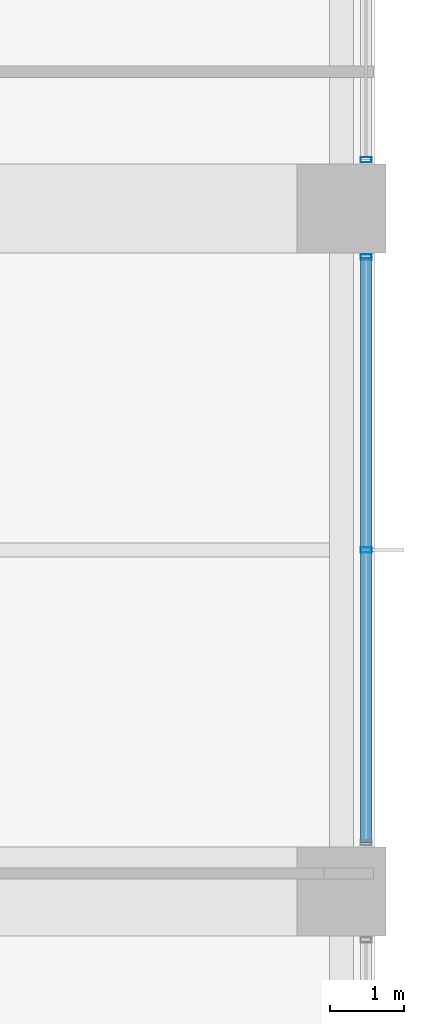
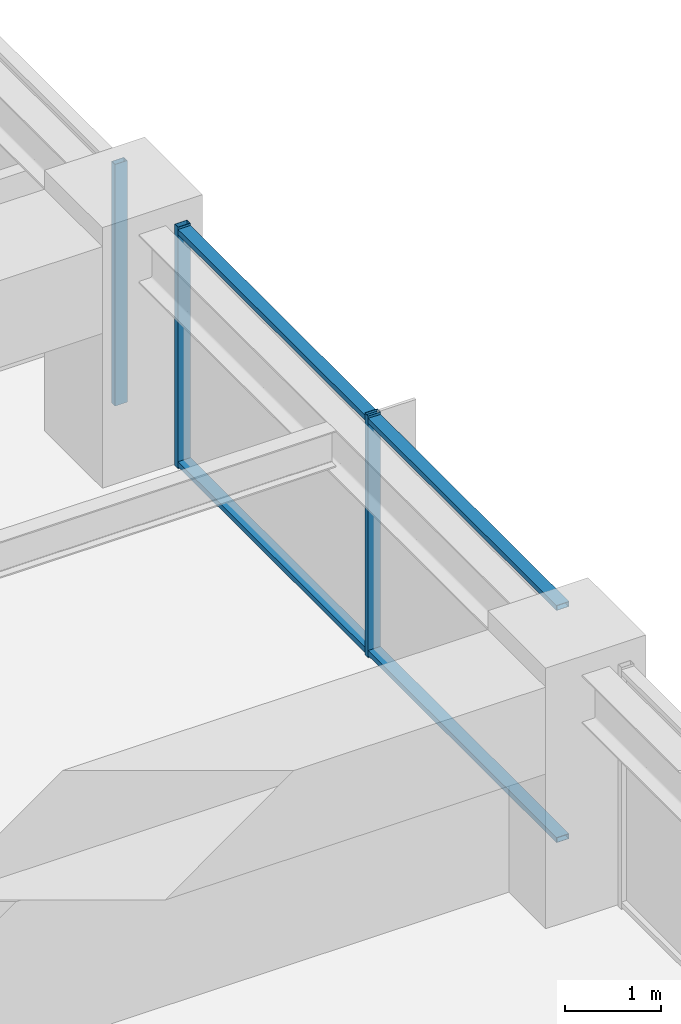
# One storey, part 16 of 37: 5 members, 2 elements without a shape of their own.
"""IFC4 building model written with IfcOpenShell, lengths in metres."""

from ifc_helpers import new_model, si_unit, direction, frame, origin, origin_2d, place, context, subcontext, project, spatial, hollow_rectangle, extrude, material, material_profile, profile_set, type_object, element, aggregate, save


model = new_model("IFC4")

# Units and contexts
model_context = context("Model", 3, precision=1e-05, world=origin(), true_north=direction((0.0, 1.0)))
body_context = subcontext(model_context, "Body", "Model", "MODEL_VIEW")
ifc_project = project(units=[si_unit("LENGTHUNIT", "METRE"), si_unit("AREAUNIT", "SQUARE_METRE"), si_unit("VOLUMEUNIT", "CUBIC_METRE"), si_unit("PLANEANGLEUNIT", "RADIAN"), si_unit("MASSUNIT", "GRAM", prefix="KILO")], contexts=[model_context])

# Site, building, storey
site_placement = place(None, origin())
site = spatial("IfcSite", under=ifc_project, at=site_placement, CompositionType="ELEMENT")
building_placement = place(site_placement, origin())
building = spatial("IfcBuilding", under=site, at=building_placement, Name="Kolvaren Belvedere", CompositionType="ELEMENT")
storey_placement = place(building_placement, frame((0.0, 0.0, 37.0)))
storey = spatial("IfcBuildingStorey", under=building, at=storey_placement, Name="L10", CompositionType="ELEMENT", Elevation=37.0)

# Curtain wall, member
ifc_material_1 = material(Name="Anodised pale-metal aluminium AA 6063-T6", Category="aluminium")
curtain_wall_type = type_object("IfcCurtainWallType", Name="CW-Z1-LOW", PredefinedType="NOTDEFINED", material=ifc_material_1)
curtain_wall_1_placement = place(storey_placement, origin())
curtain_wall_1 = element("IfcCurtainWall", 1, at=curtain_wall_1_placement, inside=storey, type_object=curtain_wall_type, Name="L10 Unitised Curtain Wall FCW-L10-E-B1", PredefinedType="NOTDEFINED")
ifc_material_2 = material(Name="Anodised pale-metal aluminium AA 6063-T6", Category="aluminium")
ifc_material_profile_1 = material_profile(ifc_material_2, hollow_rectangle(XDim=0.070068359375, YDim=0.14990234375, WallThickness=0.004150390625, at=origin_2d()), Name="ALU-MUL-150X70")
ifc_profile_set_1 = profile_set([ifc_material_profile_1], Name="Anodised pale-metal aluminium AA 6063-T6")
member_type_1 = type_object("IfcMemberType", Name="CW-MUL-150", PredefinedType="MULLION", material=ifc_profile_set_1)
member_1_placement = place(storey_placement, frame((21.8798828125, 5.2548828125, 0.0), z_axis=(0.0, 0.0, 1.0), x_axis=(0.0, 1.0, 0.0)))
member_1 = element("IfcMember", 2, at=member_1_placement, type_object=member_type_1, Name="FCW-L10-E-B1 Unitised Mullion 3", PredefinedType="MULLION", context=body_context, shape_type="SweptSolid", body=[
    extrude(hollow_rectangle(XDim=0.070068359375, YDim=0.14990234375, WallThickness=0.004150390625, at=origin_2d()), origin(), (0.0, 0.0, 1.0), 3.06005859375),
])
aggregate(curtain_wall_1, [member_1])

# Curtain wall, members
curtain_wall_2_placement = place(storey_placement, origin())
curtain_wall_2 = element("IfcCurtainWall", 3, at=curtain_wall_2_placement, inside=storey, type_object=curtain_wall_type, Name="L10 Unitised Curtain Wall FCW-L10-E-B2", PredefinedType="NOTDEFINED")
member_2_placement = place(storey_placement, frame((21.8798828125, 3.945068359375, 0.0), z_axis=(0.0, 0.0, 1.0), x_axis=(0.0, 1.0, 0.0)))
member_2 = element("IfcMember", 4, at=member_2_placement, type_object=member_type_1, Name="FCW-L10-E-B2 Unitised Mullion 1", PredefinedType="MULLION", context=body_context, shape_type="SweptSolid", body=[
    extrude(hollow_rectangle(XDim=0.070068359375, YDim=0.14990234375, WallThickness=0.004150390625, at=origin_2d()), origin(), (0.0, 0.0, 1.0), 3.06005859375),
])
member_3_placement = place(storey_placement, frame((21.8798828125, 0.0, 0.0), z_axis=(0.0, 0.0, 1.0), x_axis=(0.0, 1.0, 0.0)))
member_3 = element("IfcMember", 5, at=member_3_placement, type_object=member_type_1, Name="FCW-L10-E-B2 Unitised Mullion 2", PredefinedType="MULLION", context=body_context, shape_type="SweptSolid", body=[
    extrude(hollow_rectangle(XDim=0.070068359375, YDim=0.14990234375, WallThickness=0.004150390625, at=origin_2d()), origin(), (0.0, 0.0, 1.0), 3.06005859375),
])
ifc_material_3 = material(Name="Anodised pale-metal aluminium AA 6063-T6", Category="aluminium")
ifc_material_profile_2 = material_profile(ifc_material_3, hollow_rectangle(XDim=0.06494140625, YDim=0.14990234375, WallThickness=0.00390625, at=origin_2d()), Name="ALU-TRN-150X65")
ifc_profile_set_2 = profile_set([ifc_material_profile_2], Name="Anodised pale-metal aluminium AA 6063-T6")
member_type_2 = type_object("IfcMemberType", Name="CW-TRN-150", PredefinedType="USERDEFINED", material=ifc_profile_set_2)
member_4_placement = place(storey_placement, frame((21.8798828125, 3.945068359375, 0.06005859375), z_axis=(0.0, -1.0, 0.0), x_axis=(0.0, 0.0, 1.0)))
member_4 = element("IfcMember", 6, at=member_4_placement, type_object=member_type_2, Name="FCW-L10-E-B2 Sill Transom", ObjectType="TRANSOM", PredefinedType="USERDEFINED", context=body_context, shape_type="SweptSolid", body=[
    extrude(hollow_rectangle(XDim=0.06494140625, YDim=0.14990234375, WallThickness=0.00390625, at=origin_2d()), origin(), (0.0, 0.0, 1.0), 7.89013671875),
])
member_5_placement = place(storey_placement, frame((21.8798828125, 3.945068359375, 3.0), z_axis=(0.0, -1.0, 0.0), x_axis=(0.0, 0.0, 1.0)))
member_5 = element("IfcMember", 7, at=member_5_placement, type_object=member_type_2, Name="FCW-L10-E-B2 Head Transom", ObjectType="TRANSOM", PredefinedType="USERDEFINED", context=body_context, shape_type="SweptSolid", body=[
    extrude(hollow_rectangle(XDim=0.06494140625, YDim=0.14990234375, WallThickness=0.00390625, at=origin_2d()), origin(), (0.0, 0.0, 1.0), 7.89013671875),
])
aggregate(curtain_wall_2, [member_2, member_3, member_4, member_5])

save(model, "model.ifc")
